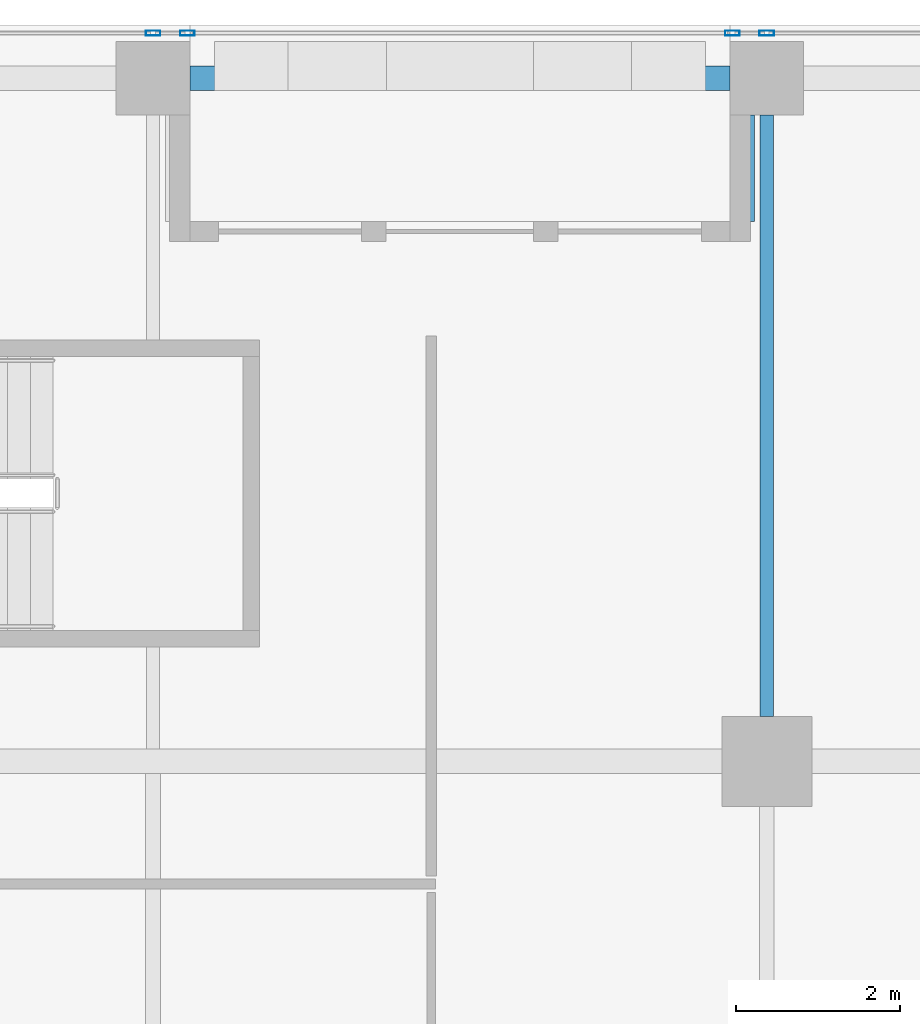
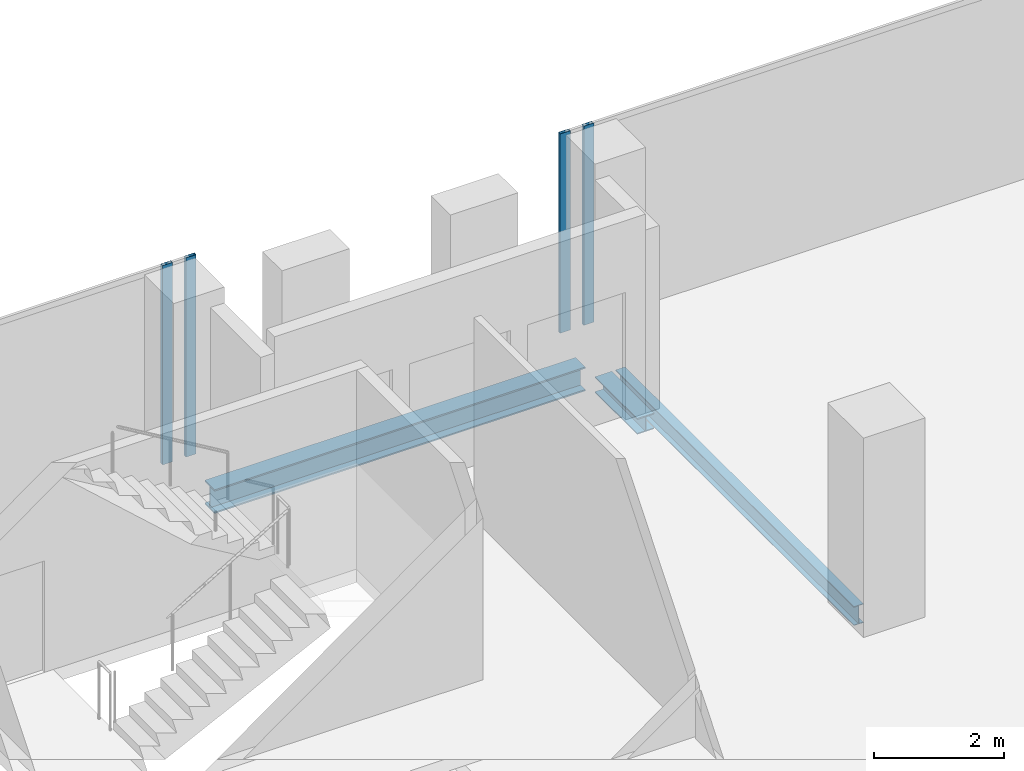
# One storey, part 20 of 36: 4 members, 3 beams, 2 elements without a shape of their own.
"""IFC4 building model written with IfcOpenShell, lengths in metres."""

from ifc_helpers import new_model, si_unit, direction, frame, origin, origin_2d, place, context, subcontext, project, spatial, hollow_rectangle, i_section, extrude, source, transform, mapped, material, material_profile, profile_set, type_object, element, aggregate, save


model = new_model("IFC4")

# Units and contexts
model_context = context("Model", 3, precision=1e-05, world=origin(), true_north=direction((0.0, 1.0)))
body_context = subcontext(model_context, "Body", "Model", "MODEL_VIEW")
ifc_project = project(units=[si_unit("LENGTHUNIT", "METRE"), si_unit("AREAUNIT", "SQUARE_METRE"), si_unit("VOLUMEUNIT", "CUBIC_METRE"), si_unit("PLANEANGLEUNIT", "RADIAN"), si_unit("MASSUNIT", "GRAM", prefix="KILO")], contexts=[model_context])

# Site, building, storey
site_placement = place(None, origin())
site = spatial("IfcSite", under=ifc_project, at=site_placement, CompositionType="ELEMENT")
building_placement = place(site_placement, origin())
building = spatial("IfcBuilding", under=site, at=building_placement, Name="Khomas Fold Tower", CompositionType="ELEMENT")
storey_placement = place(building_placement, frame((0.0, 0.0, 238.199951171875)))
storey = spatial("IfcBuildingStorey", under=building, at=storey_placement, Name="L53", CompositionType="ELEMENT", Elevation=238.199951171875)

# Beams
ifc_material_1 = material(Name="Steel S355", Category="steel")
ifc_material_profile_1 = material_profile(ifc_material_1, i_section(OverallWidth=0.300048828125, OverallDepth=0.449951171875, WebThickness=0.013916015625, FlangeThickness=0.02587890625, at=origin_2d()), Name="HE 450 B")
ifc_profile_set_1 = profile_set([ifc_material_profile_1], Name="Steel S355")
beam_type_1 = type_object("IfcBeamType", Name="HE 450 B spandrel SB4", PredefinedType="SPANDREL", material=ifc_profile_set_1)
shared_shape_1 = source(origin(), body_context, "Body", "SweptSolid", [
    extrude(i_section(OverallWidth=0.300048828125, OverallDepth=0.449951171875, WebThickness=0.013916015625, FlangeThickness=0.02587890625, at=origin_2d()), origin(), (0.0, 0.0, 1.0), 6.60009765625),
])
beam_1_placement = place(storey_placement, frame((27.449951171875, 48.85009765625, -0.474853515625), z_axis=(1.0, 0.0, 0.0), x_axis=(0.0, 1.0, 0.0)))
element("IfcBeam", 1, at=beam_1_placement, inside=storey, type_object=beam_type_1, Name="SB4", PredefinedType="SPANDREL", context=body_context, shape_type="MappedRepresentation", body=[
    mapped(shared_shape_1, transform((0.0, 0.0, 0.0))),
])
ifc_material_2 = material(Name="Steel S355", Category="steel")
ifc_material_profile_2 = material_profile(ifc_material_2, i_section(OverallWidth=0.169921875, OverallDepth=0.360107421875, WebThickness=0.008056640625, FlangeThickness=0.0126953125, at=origin_2d()), Name="IPE 360")
ifc_profile_set_2 = profile_set([ifc_material_profile_2], Name="Steel S355")
beam_type_2 = type_object("IfcBeamType", Name="IPE 360 beam JB2", PredefinedType="BEAM", material=ifc_profile_set_2)
shared_shape_2 = source(origin(), body_context, "Body", "SweptSolid", [
    extrude(i_section(OverallWidth=0.169921875, OverallDepth=0.360107421875, WebThickness=0.008056640625, FlangeThickness=0.0126953125, at=origin_2d()), origin(), (0.0, 0.0, 1.0), 7.349853515625),
])
beam_2_placement = place(storey_placement, frame((34.5, 41.050048828125, -0.429931640625), z_axis=(0.0, 1.0, 0.0), x_axis=(-1.0, 0.0, 0.0)))
element("IfcBeam", 2, at=beam_2_placement, inside=storey, type_object=beam_type_2, Name="JB2", PredefinedType="BEAM", context=body_context, shape_type="MappedRepresentation", body=[
    mapped(shared_shape_2, transform((0.0, 0.0, 0.0))),
])
ifc_material_3 = material(Name="Steel S355", Category="steel")
ifc_material_profile_3 = material_profile(ifc_material_3, i_section(OverallWidth=0.300048828125, OverallDepth=0.300048828125, WebThickness=0.010986328125, FlangeThickness=0.01904296875, at=origin_2d()), Name="HE 300 B")
ifc_profile_set_3 = profile_set([ifc_material_profile_3], Name="Steel S355")
beam_type_3 = type_object("IfcBeamType", Name="HE 300 B beam BB1", PredefinedType="BEAM", material=ifc_profile_set_3)
shared_shape_3 = source(origin(), body_context, "Body", "SweptSolid", [
    extrude(i_section(OverallWidth=0.300048828125, OverallDepth=0.300048828125, WebThickness=0.010986328125, FlangeThickness=0.01904296875, at=origin_2d()), origin(), (0.0, 0.0, 1.0), 1.2998046875),
])
beam_3_placement = place(storey_placement, frame((34.199951171875, 47.10009765625, -0.39990234375), z_axis=(0.0, 1.0, 0.0), x_axis=(-1.0, 0.0, 0.0)))
element("IfcBeam", 3, at=beam_3_placement, inside=storey, type_object=beam_type_3, Name="BB1", PredefinedType="BEAM", context=body_context, shape_type="MappedRepresentation", body=[
    mapped(shared_shape_3, transform((0.0, 0.0, 0.0))),
])

# Curtain wall, members
ifc_material_4 = material(Name="Aluminium framed double glazing", Category="aluminium")
curtain_wall_type = type_object("IfcCurtainWallType", Name="SK-Unitised clear-glass wall, office floors CW2", PredefinedType="NOTDEFINED", material=ifc_material_4)
curtain_wall_1_placement = place(storey_placement, origin())
curtain_wall_1 = element("IfcCurtainWall", 4, at=curtain_wall_1_placement, inside=storey, type_object=curtain_wall_type, Name="CW2 run L53 06-0", PredefinedType="NOTDEFINED")
ifc_material_5 = material(Name="Aluminium", Category="aluminium")
ifc_material_profile_4 = material_profile(ifc_material_5, hollow_rectangle(XDim=0.06005859375, YDim=0.179931640625, WallThickness=0.00390625, at=origin_2d()), Name="SK-Unitised clear-glass wall, office floors mullion CW2-M")
ifc_profile_set_4 = profile_set([ifc_material_profile_4], Name="Aluminium")
member_type = type_object("IfcMemberType", Name="SK-Unitised clear-glass wall, office floors mullion CW2-M", PredefinedType="MULLION", material=ifc_profile_set_4)
shared_shape_4 = source(origin(), body_context, "Body", "SweptSolid", [
    extrude(hollow_rectangle(XDim=0.06005859375, YDim=0.179931640625, WallThickness=0.00390625, at=origin_2d()), origin(), (0.0, 0.0, 1.0), 3.75),
])
member_1_placement = place(storey_placement, frame((34.5, 49.39990234375, 0.0), z_axis=(0.0, 0.0, 1.0), x_axis=(0.0, -1.0, 0.0)))
member_1 = element("IfcMember", 5, at=member_1_placement, type_object=member_type, Name="CW2 mullion 3", PredefinedType="MULLION", context=body_context, shape_type="MappedRepresentation", body=[
    mapped(shared_shape_4, transform((0.0, 0.0, 0.0))),
])
member_2_placement = place(storey_placement, frame((34.080078125, 49.39990234375, 0.0), z_axis=(0.0, 0.0, 1.0), x_axis=(0.0, -1.0, 0.0)))
member_2 = element("IfcMember", 6, at=member_2_placement, type_object=member_type, Name="CW2 mullion 4", PredefinedType="MULLION", context=body_context, shape_type="MappedRepresentation", body=[
    mapped(shared_shape_4, transform((0.0, 0.0, 0.0))),
])
aggregate(curtain_wall_1, [member_1, member_2])

curtain_wall_2_placement = place(storey_placement, origin())
curtain_wall_2 = element("IfcCurtainWall", 7, at=curtain_wall_2_placement, inside=storey, type_object=curtain_wall_type, Name="CW2 run L53 06-1", PredefinedType="NOTDEFINED")
member_3_placement = place(storey_placement, frame((27.419921875, 49.39990234375, 0.0), z_axis=(0.0, 0.0, 1.0), x_axis=(0.0, -1.0, 0.0)))
member_3 = element("IfcMember", 8, at=member_3_placement, type_object=member_type, Name="CW2 mullion 1", PredefinedType="MULLION", context=body_context, shape_type="MappedRepresentation", body=[
    mapped(shared_shape_4, transform((0.0, 0.0, 0.0))),
])
member_4_placement = place(storey_placement, frame((27.0, 49.39990234375, 0.0), z_axis=(0.0, 0.0, 1.0), x_axis=(0.0, -1.0, 0.0)))
member_4 = element("IfcMember", 9, at=member_4_placement, type_object=member_type, Name="CW2 mullion 2", PredefinedType="MULLION", context=body_context, shape_type="MappedRepresentation", body=[
    mapped(shared_shape_4, transform((0.0, 0.0, 0.0))),
])
aggregate(curtain_wall_2, [member_3, member_4])

save(model, "model.ifc")
